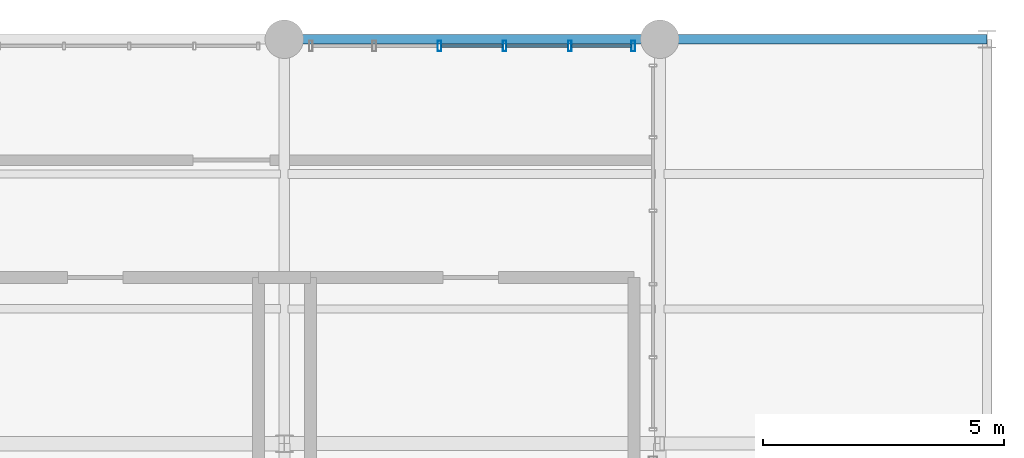
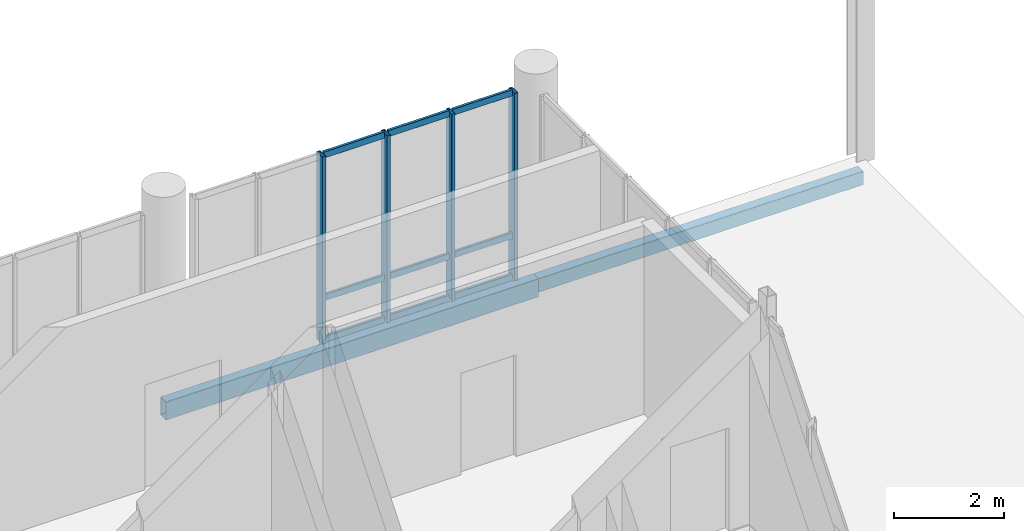
# One storey, part 49 of 68: 13 members, 2 beams, 1 element without a shape of its own.
"""IFC4 building model written with IfcOpenShell, lengths in metres."""

from ifc_helpers import new_model, si_unit, direction, frame, origin_with_axes, origin_2d_with_axis, place, context, subcontext, project, spatial, hollow_rectangle, extrude, material, material_profile, profile_set, type_object, element, aggregate, save


model = new_model("IFC4")

# Units and contexts
model_context = context("Model", 3, precision=1e-05, world=origin_with_axes(), true_north=direction((0.0, 1.0)))
body_context = subcontext(model_context, "Body", "Model", "MODEL_VIEW")
ifc_project = project(units=[si_unit("LENGTHUNIT", "METRE"), si_unit("AREAUNIT", "SQUARE_METRE"), si_unit("VOLUMEUNIT", "CUBIC_METRE"), si_unit("PLANEANGLEUNIT", "RADIAN"), si_unit("MASSUNIT", "GRAM", prefix="KILO"), si_unit("THERMODYNAMICTEMPERATUREUNIT", "KELVIN")], contexts=[model_context])

# Site, building, storey
site_placement = place(None, origin_with_axes())
site = spatial("IfcSite", under=ifc_project, at=site_placement, CompositionType="ELEMENT")
building_placement = place(site_placement, origin_with_axes())
building = spatial("IfcBuilding", under=site, at=building_placement, Name="Montbau Bow Law Courts", CompositionType="ELEMENT")
storey_placement = place(building_placement, frame((0.0, 0.0, 20.4), z_axis=(0.0, 0.0, 1.0), x_axis=(1.0, 0.0, 0.0)))
storey = spatial("IfcBuildingStorey", under=building, at=storey_placement, Name="L04", CompositionType="ELEMENT", Elevation=20.4)

# Beams
ifc_material_1 = material(Name="Steel CSA G40.21 Grade 350WT (350 MPa)", Category="steel")
ifc_material_profile_1 = material_profile(ifc_material_1, hollow_rectangle(XDim=0.203, YDim=0.406, WallThickness=0.0127, InnerFilletRadius=0.0254, OuterFilletRadius=0.0127, at=origin_2d_with_axis()), Name="HSS406X203X13", Category="Main", Priority=0)
ifc_profile_set_1 = profile_set([ifc_material_profile_1], Name="Steel CSA G40.21 Grade 350WT (350 MPa)")
beam_type_1 = type_object("IfcBeamType", Name="B-SPN-01", PredefinedType="SPANDREL", material=ifc_profile_set_1)
beam_1_placement = place(None, frame((154.8, 103.2, 19.947), z_axis=(1.0, 0.0, 0.0), x_axis=(0.0, 1.0, 0.0)))
element("IfcBeam", 1, at=beam_1_placement, inside=storey, type_object=beam_type_1, Name="SPN-L04-S1263:bm2_1266", PredefinedType="SPANDREL", context=body_context, shape_type="SweptSolid", body=[
    extrude(hollow_rectangle(XDim=0.203, YDim=0.406, WallThickness=0.0127, InnerFilletRadius=0.0254, OuterFilletRadius=0.0127, at=origin_2d_with_axis()), origin_with_axes(), (0.0, 0.0, 1.0), 7.8),
])
ifc_material_profile_2 = material_profile(ifc_material_1, hollow_rectangle(XDim=0.203, YDim=0.305, WallThickness=0.0127, InnerFilletRadius=0.0254, OuterFilletRadius=0.0127, at=origin_2d_with_axis()), Name="HSS305X203X13", Category="Main", Priority=0)
ifc_profile_set_2 = profile_set([ifc_material_profile_2], Name="Steel CSA G40.21 Grade 350WT (350 MPa)")
beam_type_2 = type_object("IfcBeamType", Name="B-SPN-02", PredefinedType="SPANDREL", material=ifc_profile_set_2)
beam_2_placement = place(None, frame((162.6, 103.2, 19.997), z_axis=(1.0, 0.0, 0.0), x_axis=(0.0, 1.0, 0.0)))
element("IfcBeam", 2, at=beam_2_placement, inside=storey, type_object=beam_type_2, Name="SPN-L04-S1264:bm2_1267", PredefinedType="SPANDREL", context=body_context, shape_type="SweptSolid", body=[
    extrude(hollow_rectangle(XDim=0.203, YDim=0.305, WallThickness=0.0127, InnerFilletRadius=0.0254, OuterFilletRadius=0.0127, at=origin_2d_with_axis()), origin_with_axes(), (0.0, 0.0, 1.0), 6.8),
])

# Curtain wall, members
ifc_material_2 = material(Name="Thermally Broken Extruded Aluminium AA 6063-T6", Category="aluminium")
curtain_wall_type = type_object("IfcCurtainWallType", Name="CW-NCK-01", PredefinedType="NOTDEFINED", material=ifc_material_2)
curtain_wall_placement = place(None, frame((155.315, 103.06, 20.4), z_axis=(0.0, 0.0, 1.0), x_axis=(1.0, 0.0, 0.0)))
curtain_wall = element("IfcCurtainWall", 3, at=curtain_wall_placement, inside=storey, type_object=curtain_wall_type, Name="CW-L04-327:cw_0327", PredefinedType="NOTDEFINED")
ifc_material_profile_3 = material_profile(ifc_material_2, hollow_rectangle(XDim=0.075, YDim=0.22, WallThickness=0.005, InnerFilletRadius=0.01, OuterFilletRadius=0.005, at=origin_2d_with_axis()), Name="CWM-220X75", Category="Main", Priority=0)
ifc_profile_set_3 = profile_set([ifc_material_profile_3], Name="Thermally Broken Extruded Aluminium AA 6063-T6")
member_type_1 = type_object("IfcMemberType", Name="M-MUL-01", PredefinedType="MULLION", material=ifc_profile_set_3)
member_1_placement = place(None, frame((158.023, 103.06, 20.4), z_axis=(0.0, 0.0, 1.0), x_axis=(1.0, 0.0, 0.0)))
member_1 = element("IfcMember", 4, at=member_1_placement, type_object=member_type_1, Name="CW-L04-327-M03:cw_0327_M03", PredefinedType="MULLION", context=body_context, shape_type="SweptSolid", body=[
    extrude(hollow_rectangle(XDim=0.075, YDim=0.22, WallThickness=0.005, InnerFilletRadius=0.01, OuterFilletRadius=0.005, at=origin_2d_with_axis()), origin_with_axes(), (0.0, 0.0, 1.0), 4.14),
])
member_2_placement = place(None, frame((159.377, 103.06, 20.4), z_axis=(0.0, 0.0, 1.0), x_axis=(1.0, 0.0, 0.0)))
member_2 = element("IfcMember", 5, at=member_2_placement, type_object=member_type_1, Name="CW-L04-327-M04:cw_0327_M04", PredefinedType="MULLION", context=body_context, shape_type="SweptSolid", body=[
    extrude(hollow_rectangle(XDim=0.075, YDim=0.22, WallThickness=0.005, InnerFilletRadius=0.01, OuterFilletRadius=0.005, at=origin_2d_with_axis()), origin_with_axes(), (0.0, 0.0, 1.0), 4.14),
])
member_3_placement = place(None, frame((160.731, 103.06, 20.4), z_axis=(0.0, 0.0, 1.0), x_axis=(1.0, 0.0, 0.0)))
member_3 = element("IfcMember", 6, at=member_3_placement, type_object=member_type_1, Name="CW-L04-327-M05:cw_0327_M05", PredefinedType="MULLION", context=body_context, shape_type="SweptSolid", body=[
    extrude(hollow_rectangle(XDim=0.075, YDim=0.22, WallThickness=0.005, InnerFilletRadius=0.01, OuterFilletRadius=0.005, at=origin_2d_with_axis()), origin_with_axes(), (0.0, 0.0, 1.0), 4.14),
])
member_4_placement = place(None, frame((162.048, 103.06, 20.4), z_axis=(0.0, 0.0, 1.0), x_axis=(1.0, 0.0, 0.0)))
member_4 = element("IfcMember", 7, at=member_4_placement, type_object=member_type_1, Name="CW-L04-327-M06:cw_0327_M06", PredefinedType="MULLION", context=body_context, shape_type="SweptSolid", body=[
    extrude(hollow_rectangle(XDim=0.075, YDim=0.22, WallThickness=0.005, InnerFilletRadius=0.01, OuterFilletRadius=0.005, at=origin_2d_with_axis()), origin_with_axes(), (0.0, 0.0, 1.0), 4.14),
])
ifc_material_profile_4 = material_profile(ifc_material_2, hollow_rectangle(XDim=0.055, YDim=0.14, WallThickness=0.004, InnerFilletRadius=0.008, OuterFilletRadius=0.004, at=origin_2d_with_axis()), Name="CWT-140X55", Category="Main", Priority=0)
ifc_profile_set_4 = profile_set([ifc_material_profile_4], Name="Thermally Broken Extruded Aluminium AA 6063-T6")
member_type_2 = type_object("IfcMemberType", Name="M-TRN-02", PredefinedType="USERDEFINED", material=ifc_profile_set_4)
member_5_placement = place(None, frame((158.063, 103.06, 20.427), z_axis=(1.0, 0.0, 0.0), x_axis=(0.0, 1.0, 0.0)))
member_5 = element("IfcMember", 8, at=member_5_placement, type_object=member_type_2, Name="CW-L04-327-T03-1:cw_0327_T03_1", ObjectType="TRANSOM", PredefinedType="USERDEFINED", context=body_context, shape_type="SweptSolid", body=[
    extrude(hollow_rectangle(XDim=0.055, YDim=0.14, WallThickness=0.004, InnerFilletRadius=0.008, OuterFilletRadius=0.004, at=origin_2d_with_axis()), origin_with_axes(), (0.0, 0.0, 1.0), 1.275),
])
member_6_placement = place(None, frame((158.063, 103.06, 21.35), z_axis=(1.0, 0.0, 0.0), x_axis=(0.0, 1.0, 0.0)))
member_6 = element("IfcMember", 9, at=member_6_placement, type_object=member_type_2, Name="CW-L04-327-T03-2:cw_0327_T03_2", ObjectType="TRANSOM", PredefinedType="USERDEFINED", context=body_context, shape_type="SweptSolid", body=[
    extrude(hollow_rectangle(XDim=0.055, YDim=0.14, WallThickness=0.004, InnerFilletRadius=0.008, OuterFilletRadius=0.004, at=origin_2d_with_axis()), origin_with_axes(), (0.0, 0.0, 1.0), 1.275),
])
member_7_placement = place(None, frame((158.063, 103.06, 24.512), z_axis=(1.0, 0.0, 0.0), x_axis=(0.0, 1.0, 0.0)))
member_7 = element("IfcMember", 10, at=member_7_placement, type_object=member_type_2, Name="CW-L04-327-T03-3:cw_0327_T03_3", ObjectType="TRANSOM", PredefinedType="USERDEFINED", context=body_context, shape_type="SweptSolid", body=[
    extrude(hollow_rectangle(XDim=0.055, YDim=0.14, WallThickness=0.004, InnerFilletRadius=0.008, OuterFilletRadius=0.004, at=origin_2d_with_axis()), origin_with_axes(), (0.0, 0.0, 1.0), 1.275),
])
member_8_placement = place(None, frame((159.416, 103.06, 20.427), z_axis=(1.0, 0.0, 0.0), x_axis=(0.0, 1.0, 0.0)))
member_8 = element("IfcMember", 11, at=member_8_placement, type_object=member_type_2, Name="CW-L04-327-T04-1:cw_0327_T04_1", ObjectType="TRANSOM", PredefinedType="USERDEFINED", context=body_context, shape_type="SweptSolid", body=[
    extrude(hollow_rectangle(XDim=0.055, YDim=0.14, WallThickness=0.004, InnerFilletRadius=0.008, OuterFilletRadius=0.004, at=origin_2d_with_axis()), origin_with_axes(), (0.0, 0.0, 1.0), 1.276),
])
member_9_placement = place(None, frame((159.416, 103.06, 21.35), z_axis=(1.0, 0.0, 0.0), x_axis=(0.0, 1.0, 0.0)))
member_9 = element("IfcMember", 12, at=member_9_placement, type_object=member_type_2, Name="CW-L04-327-T04-2:cw_0327_T04_2", ObjectType="TRANSOM", PredefinedType="USERDEFINED", context=body_context, shape_type="SweptSolid", body=[
    extrude(hollow_rectangle(XDim=0.055, YDim=0.14, WallThickness=0.004, InnerFilletRadius=0.008, OuterFilletRadius=0.004, at=origin_2d_with_axis()), origin_with_axes(), (0.0, 0.0, 1.0), 1.276),
])
member_10_placement = place(None, frame((159.416, 103.06, 24.512), z_axis=(1.0, 0.0, 0.0), x_axis=(0.0, 1.0, 0.0)))
member_10 = element("IfcMember", 13, at=member_10_placement, type_object=member_type_2, Name="CW-L04-327-T04-3:cw_0327_T04_3", ObjectType="TRANSOM", PredefinedType="USERDEFINED", context=body_context, shape_type="SweptSolid", body=[
    extrude(hollow_rectangle(XDim=0.055, YDim=0.14, WallThickness=0.004, InnerFilletRadius=0.008, OuterFilletRadius=0.004, at=origin_2d_with_axis()), origin_with_axes(), (0.0, 0.0, 1.0), 1.276),
])
member_11_placement = place(None, frame((160.77, 103.06, 20.427), z_axis=(1.0, 0.0, 0.0), x_axis=(0.0, 1.0, 0.0)))
member_11 = element("IfcMember", 14, at=member_11_placement, type_object=member_type_2, Name="CW-L04-327-T05-1:cw_0327_T05_1", ObjectType="TRANSOM", PredefinedType="USERDEFINED", context=body_context, shape_type="SweptSolid", body=[
    extrude(hollow_rectangle(XDim=0.055, YDim=0.14, WallThickness=0.004, InnerFilletRadius=0.008, OuterFilletRadius=0.004, at=origin_2d_with_axis()), origin_with_axes(), (0.0, 0.0, 1.0), 1.239),
])
member_12_placement = place(None, frame((160.77, 103.06, 21.35), z_axis=(1.0, 0.0, 0.0), x_axis=(0.0, 1.0, 0.0)))
member_12 = element("IfcMember", 15, at=member_12_placement, type_object=member_type_2, Name="CW-L04-327-T05-2:cw_0327_T05_2", ObjectType="TRANSOM", PredefinedType="USERDEFINED", context=body_context, shape_type="SweptSolid", body=[
    extrude(hollow_rectangle(XDim=0.055, YDim=0.14, WallThickness=0.004, InnerFilletRadius=0.008, OuterFilletRadius=0.004, at=origin_2d_with_axis()), origin_with_axes(), (0.0, 0.0, 1.0), 1.239),
])
member_13_placement = place(None, frame((160.77, 103.06, 24.512), z_axis=(1.0, 0.0, 0.0), x_axis=(0.0, 1.0, 0.0)))
member_13 = element("IfcMember", 16, at=member_13_placement, type_object=member_type_2, Name="CW-L04-327-T05-3:cw_0327_T05_3", ObjectType="TRANSOM", PredefinedType="USERDEFINED", context=body_context, shape_type="SweptSolid", body=[
    extrude(hollow_rectangle(XDim=0.055, YDim=0.14, WallThickness=0.004, InnerFilletRadius=0.008, OuterFilletRadius=0.004, at=origin_2d_with_axis()), origin_with_axes(), (0.0, 0.0, 1.0), 1.239),
])
aggregate(curtain_wall, [member_1, member_2, member_3, member_4, member_5, member_6, member_7, member_8, member_9, member_10, member_11, member_12, member_13])

save(model, "model.ifc")
